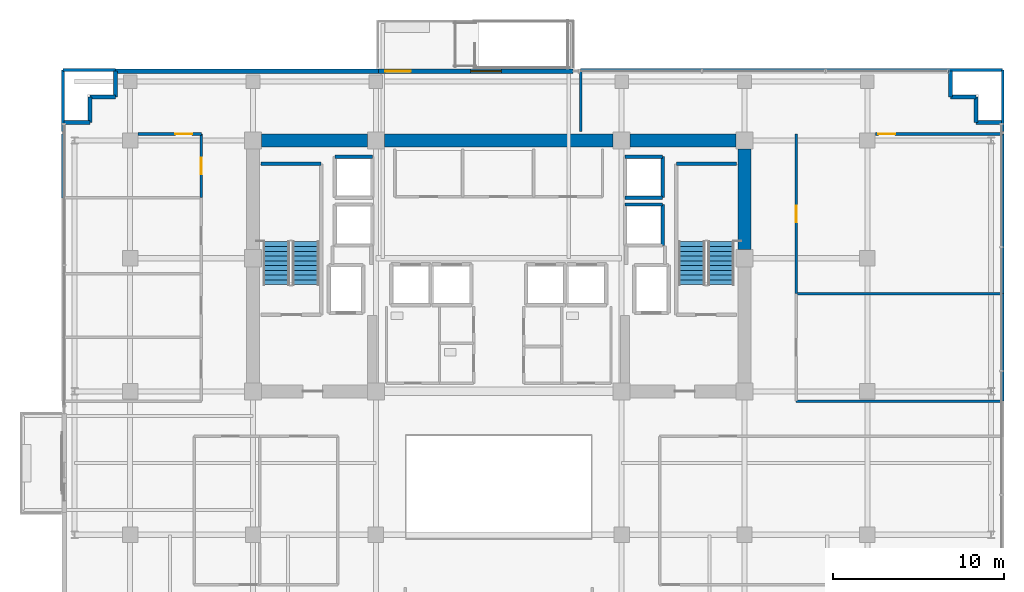
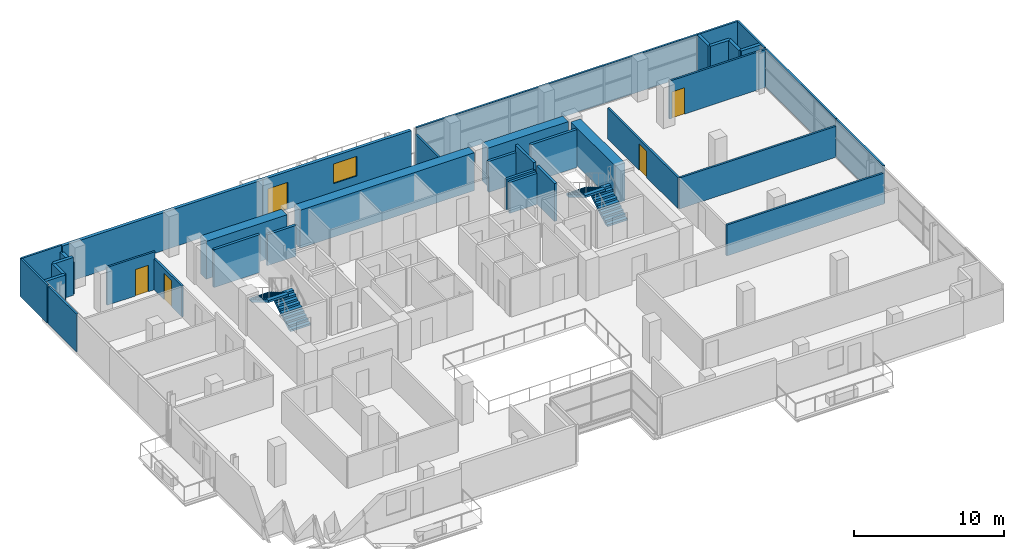
# One storey, part 18 of 23: 36 walls, 5 doors, 4 stair flights, 1 window, 6 openings, 2 elements without a shape of their own.
"""IFC4 building model written with IfcOpenShell, lengths in metres."""

from ifc_helpers import new_model, si_unit, direction, frame, frame_2d, origin, place, context, subcontext, project, spatial, polyline, rectangle, outline, extrude, source, transform, mapped, material, layer, layer_set, type_object, element, fill, aggregate, save


model = new_model("IFC4")

# Units and contexts
model_context = context("Model", 3, precision=1e-05, world=origin(), true_north=direction((0.0, 1.0)))
body_context = subcontext(model_context, "Body", "Model", "MODEL_VIEW")
ifc_project = project(units=[si_unit("LENGTHUNIT", "METRE"), si_unit("AREAUNIT", "SQUARE_METRE"), si_unit("VOLUMEUNIT", "CUBIC_METRE"), si_unit("PLANEANGLEUNIT", "RADIAN"), si_unit("MASSUNIT", "GRAM", prefix="KILO")], contexts=[model_context])

# Site, building, storey
site_placement = place(None, origin())
site = spatial("IfcSite", under=ifc_project, at=site_placement, CompositionType="ELEMENT")
building_placement = place(site_placement, origin())
building = spatial("IfcBuilding", under=site, at=building_placement, Name="Zarnakvel Exchange Tower", CompositionType="ELEMENT")
storey_placement = place(building_placement, frame((0.0, 0.0, 116.5)))
storey = spatial("IfcBuildingStorey", under=building, at=storey_placement, Name="L32", CompositionType="ELEMENT", Elevation=116.5)

# Walls
ifc_material_1 = material(Name="Concrete C60/75", Category="concrete")
ifc_layer_1 = layer(ifc_material_1, 0.75)
ifc_layer_set_1 = layer_set([ifc_layer_1], Name="Concrete C60/75")
wall_type_1 = type_object("IfcWallType", Name="CW-C3", PredefinedType="SHEAR", material=ifc_layer_set_1)
wall_1_placement = place(storey_placement, frame((-13.89990234375, 13.5, 0.0), z_axis=(0.0, 0.0, 1.0), x_axis=(1.0, 0.0, 0.0)))
element("IfcWall", 1, at=wall_1_placement, inside=storey, type_object=wall_type_1, Name="L32 Rear Core Shear Wall N1 (CW-C3)", PredefinedType="SHEAR", context=body_context, shape_type="SweptSolid", body=[
    extrude(rectangle(XDim=6.199951171875, YDim=0.75, at=frame_2d((3.10009765625, 0.0))), origin(), (0.0, 0.0, 1.0), 3.074951171875),
])
wall_2_placement = place(storey_placement, frame((-6.699951171875, 13.5, 0.0), z_axis=(0.0, 0.0, 1.0), x_axis=(1.0, 0.0, 0.0)))
element("IfcWall", 2, at=wall_2_placement, inside=storey, type_object=wall_type_1, Name="L32 Rear Core Shear Wall N2 (CW-C3)", PredefinedType="SHEAR", context=body_context, shape_type="SweptSolid", body=[
    extrude(rectangle(XDim=13.39990234375, YDim=0.75, at=frame_2d((6.699951171875, 0.0))), origin(), (0.0, 0.0, 1.0), 3.074951171875),
])
wall_3_placement = place(storey_placement, frame((7.699951171875, 13.5, 0.0), z_axis=(0.0, 0.0, 1.0), x_axis=(1.0, 0.0, 0.0)))
element("IfcWall", 3, at=wall_3_placement, inside=storey, type_object=wall_type_1, Name="L32 Rear Core Shear Wall N3 (CW-C3)", PredefinedType="SHEAR", context=body_context, shape_type="SweptSolid", body=[
    extrude(rectangle(XDim=6.199951171875, YDim=0.75, at=frame_2d((3.10009765625, 0.0))), origin(), (0.0, 0.0, 1.0), 3.074951171875),
])
wall_4_placement = place(storey_placement, frame((14.39990234375, 7.10009765625, 0.0), z_axis=(0.0, 0.0, 1.0), x_axis=(0.0, 1.0, 0.0)))
element("IfcWall", 4, at=wall_4_placement, inside=storey, type_object=wall_type_1, Name="L32 Rear Core Shear Wall E2 (CW-C3)", PredefinedType="SHEAR", context=body_context, shape_type="SweptSolid", body=[
    extrude(rectangle(XDim=5.89990234375, YDim=0.75, at=frame_2d((2.949951171875, 0.0))), origin(), (0.0, 0.0, 1.0), 3.074951171875),
])

# Wall, openings, door, window
ifc_material_2 = material(Name="Precast concrete C40/50", Category="concrete")
ifc_layer_2 = layer(ifc_material_2, 0.239990234375)
ifc_layer_set_2 = layer_set([ifc_layer_2], Name="Precast concrete C40/50")
wall_type_2 = type_object("IfcWallType", Name="EW-02", PredefinedType="SOLIDWALL", material=ifc_layer_set_2)
wall_5_placement = place(storey_placement, frame((-7.050048828125, 17.56005859375, 0.0), z_axis=(0.0, 0.0, 1.0), x_axis=(1.0, 0.0, 0.0)))
wall_5 = element("IfcWall", 5, at=wall_5_placement, inside=storey, type_object=wall_type_2, Name="L32 Exterior Precast Spandrel Wall EW-SPTER-L32 (EW-02)", PredefinedType="SOLIDWALL", context=body_context, shape_type="SweptSolid", body=[
    extrude(rectangle(XDim=11.400146484375, YDim=0.239990234375, at=frame_2d((5.7001953125, 0.0))), origin(), (0.0, 0.0, 1.0), 3.074951171875),
])
opening_1_placement = place(wall_5_placement, frame((0.39990234375, 0.0, 0.0)))
opening_1 = element("IfcOpeningElement", 6, at=opening_1_placement, cuts=wall_5, Name="Opening TD-L32-SP", PredefinedType="OPENING", context=body_context, shape_type="SweptSolid", body=[
    extrude(rectangle(XDim=1.5, YDim=2.199951171875, at=frame_2d((0.75, 1.10009765625))), frame((0.0, 0.1298828125, 0.0), z_axis=(0.0, -1.0, 0.0), x_axis=(1.0, 0.0, 0.0)), (0.0, 0.0, 1.0), 0.260009765625),
])
opening_2_placement = place(wall_5_placement, frame((5.39990234375, 0.0, 0.85009765625)))
opening_2 = element("IfcOpeningElement", 7, at=opening_2_placement, cuts=wall_5, Name="Opening WN-05", PredefinedType="OPENING", context=body_context, shape_type="SweptSolid", body=[
    extrude(rectangle(XDim=1.800048828125, YDim=1.60009765625, at=frame_2d((0.89990234375, 0.800048828125))), frame((0.0, 0.1298828125, 0.0), z_axis=(0.0, -1.0, 0.0), x_axis=(1.0, 0.0, 0.0)), (0.0, 0.0, 1.0), 0.260009765625),
])
ifc_material_3 = material(Name="Architectural Bronze Anodised Aluminium", Category="aluminium")
door_type_1 = type_object("IfcDoorType", Name="DT-10", OperationType="NOTDEFINED", PredefinedType="DOOR", material=ifc_material_3)
shared_shape_1 = source(origin(), body_context, "Body", "SweptSolid", [
    extrude(rectangle(XDim=1.5, YDim=2.199951171875, at=frame_2d((0.75, 1.10009765625))), frame((0.0, 0.02490234375, 0.0), z_axis=(0.0, -1.0, 0.0), x_axis=(1.0, 0.0, 0.0)), (0.0, 0.0, 1.0), 0.050048828125),
])
door_1_placement = place(opening_1_placement, origin())
door_1 = element("IfcDoor", 8, at=door_1_placement, inside=storey, type_object=door_type_1, Name="L32 Spiral Sky-Terrace Access Door TD-L32-SP", OperationType="DOUBLE_DOOR_SINGLE_SWING", OverallHeight=2.199951171875, OverallWidth=1.5, PredefinedType="DOOR", context=body_context, shape_type="MappedRepresentation", body=[
    mapped(shared_shape_1, transform((0.0, 0.0, 0.0), x_axis=(1.0, 0.0, 0.0), y_axis=(0.0, 1.0, 0.0), z_axis=(0.0, 0.0, 1.0), scale=1.0)),
])
fill(opening_1, door_1)
ifc_material_4 = material(Name="Double Low-E Laminated Vision Glass", Category="glass")
window_type = type_object("IfcWindowType", Name="WN-05", PartitioningType="SINGLE_PANEL", PredefinedType="WINDOW", material=ifc_material_4)
shared_shape_2 = source(origin(), body_context, "Body", "SweptSolid", [
    extrude(rectangle(XDim=1.800048828125, YDim=1.60009765625, at=frame_2d((0.89990234375, 0.800048828125))), frame((0.0, 0.030029296875, 0.0), z_axis=(0.0, -1.0, 0.0), x_axis=(1.0, 0.0, 0.0)), (0.0, 0.0, 1.0), 0.06005859375),
])
window_placement = place(opening_2_placement, origin())
window = element("IfcWindow", 9, at=window_placement, inside=storey, type_object=window_type, Name="L32 Spiral Sky-Terrace Lounge Window", OverallHeight=1.60009765625, OverallWidth=1.800048828125, PartitioningType="SINGLE_PANEL", PredefinedType="WINDOW", context=body_context, shape_type="MappedRepresentation", body=[
    mapped(shared_shape_2, transform((0.0, 0.0, 0.0), x_axis=(1.0, 0.0, 0.0), y_axis=(0.0, 1.0, 0.0), z_axis=(0.0, 0.0, 1.0), scale=1.0)),
])
fill(opening_2, window)

# Walls
for number, where, z_axis, x_axis, name in (
    (10, (-23.9599609375, 14.56005859375, 0.0), (0.0, 0.0, 1.0), (-1.0, 0.0, 0.0), "L32 Exterior Precast Spandrel Wall EWC-L32-03 (EW-02)"),
    (11, (-23.9599609375, 16.06005859375, 0.0), (0.0, 0.0, 1.0), (0.0, -1.0, 0.0), "L32 Exterior Precast Spandrel Wall EWC-L32-04 (EW-02)"),
    (12, (-22.4599609375, 16.06005859375, 0.0), (0.0, 0.0, 1.0), (-1.0, 0.0, 0.0), "L32 Exterior Precast Spandrel Wall EWC-L32-05 (EW-02)"),
):
    element("IfcWall", number, at=place(storey_placement, frame(where, z_axis=z_axis, x_axis=x_axis)), inside=storey, type_object=wall_type_2, Name=name, PredefinedType="SOLIDWALL", context=body_context, shape_type="SweptSolid", body=[
        extrude(rectangle(XDim=1.5, YDim=0.239990234375, at=frame_2d((0.75, 0.0))), origin(), (0.0, 0.0, 1.0), 3.074951171875),
    ])
wall_6_placement = place(storey_placement, frame((-22.4599609375, 17.56005859375, 0.0), z_axis=(0.0, 0.0, 1.0), x_axis=(0.0, -1.0, 0.0)))
element("IfcWall", 13, at=wall_6_placement, inside=storey, type_object=wall_type_2, Name="L32 Exterior Precast Spandrel Wall EWC-L32-06 (EW-02)", PredefinedType="SOLIDWALL", context=body_context, shape_type="SweptSolid", body=[
    extrude(rectangle(XDim=1.5, YDim=0.239990234375, at=frame_2d((0.75, 0.0))), origin(), (0.0, 0.0, 1.0), 2.56494140625),
])
wall_7_placement = place(storey_placement, frame((-7.050048828125, 17.56005859375, 0.0), z_axis=(0.0, 0.0, 1.0), x_axis=(-1.0, 0.0, 0.0)))
element("IfcWall", 14, at=wall_7_placement, inside=storey, type_object=wall_type_2, Name="L32 Exterior Precast Spandrel Wall EWC-L32-07 (EW-02)", PredefinedType="SOLIDWALL", context=body_context, shape_type="SweptSolid", body=[
    extrude(rectangle(XDim=15.409912109375, YDim=0.239990234375, at=frame_2d((7.705078125, 0.0))), origin(), (0.0, 0.0, 1.0), 3.074951171875),
])
for number, where, z_axis, x_axis, name in (
    (15, (26.4599609375, 16.06005859375, 0.0), (0.0, 0.0, 1.0), (0.0, 1.0, 0.0), "L32 Exterior Precast Spandrel Wall EWC-L32-09 (EW-02)"),
    (16, (27.9599609375, 16.06005859375, 0.0), (0.0, 0.0, 1.0), (-1.0, 0.0, 0.0), "L32 Exterior Precast Spandrel Wall EWC-L32-10 (EW-02)"),
    (17, (27.9599609375, 14.56005859375, 0.0), (0.0, 0.0, 1.0), (0.0, 1.0, 0.0), "L32 Exterior Precast Spandrel Wall EWC-L32-11 (EW-02)"),
    (18, (29.4599609375, 14.56005859375, 0.0), (0.0, 0.0, 1.0), (-1.0, 0.0, 0.0), "L32 Exterior Precast Spandrel Wall EWC-L32-12 (EW-02)"),
):
    element("IfcWall", number, at=place(storey_placement, frame(where, z_axis=z_axis, x_axis=x_axis)), inside=storey, type_object=wall_type_2, Name=name, PredefinedType="SOLIDWALL", context=body_context, shape_type="SweptSolid", body=[
        extrude(rectangle(XDim=1.5, YDim=0.239990234375, at=frame_2d((0.75, 0.0))), origin(), (0.0, 0.0, 1.0), 3.074951171875),
    ])

# Wall, opening, door
ifc_material_5 = material(Name="Fire-Rated Gypsum Stud Partition", Category="gypsum")
ifc_layer_3 = layer(ifc_material_5, 0.14990234375)
ifc_layer_set_3 = layer_set([ifc_layer_3], Name="Fire-Rated Gypsum Stud Partition")
wall_type_3 = type_object("IfcWallType", Name="PT-01", PredefinedType="PARTITIONING", material=ifc_layer_set_3)
wall_8_placement = place(storey_placement, frame((-21.1298828125, 13.8798828125, 0.0), z_axis=(0.0, 0.0, 1.0), x_axis=(1.0, 0.0, 0.0)))
wall_8 = element("IfcWall", 19, at=wall_8_placement, inside=storey, type_object=wall_type_3, Name="L32 Partition Wall PWALL-L32-061 (PT-01)", PredefinedType="PARTITIONING", context=body_context, shape_type="SweptSolid", body=[
    extrude(rectangle(XDim=3.699951171875, YDim=0.14990234375, at=frame_2d((1.85009765625, 0.0))), origin(), (0.0, 0.0, 1.0), 3.074951171875),
])
opening_3_placement = place(wall_8_placement, frame((2.18994140625, 0.0, 0.0)))
opening_3 = element("IfcOpeningElement", 20, at=opening_3_placement, cuts=wall_8, Name="Opening D-L32-25", PredefinedType="OPENING", context=body_context, shape_type="SweptSolid", body=[
    extrude(rectangle(XDim=0.97998046875, YDim=2.14990234375, at=frame_2d((0.489990234375, 1.074951171875))), frame((0.0, 0.0849609375, 0.0), z_axis=(0.0, -1.0, 0.0), x_axis=(1.0, 0.0, 0.0)), (0.0, 0.0, 1.0), 0.169921875),
])
ifc_material_6 = material(Name="Timber Acoustic Veneer", Category="wood")
door_type_2 = type_object("IfcDoorType", Name="DT-05", OperationType="NOTDEFINED", PredefinedType="DOOR", material=ifc_material_6)
shared_shape_3 = source(origin(), body_context, "Body", "SweptSolid", [
    extrude(rectangle(XDim=0.97998046875, YDim=2.14990234375, at=frame_2d((0.489990234375, 1.074951171875))), frame((0.0, 0.02490234375, 0.0), z_axis=(0.0, -1.0, 0.0), x_axis=(1.0, 0.0, 0.0)), (0.0, 0.0, 1.0), 0.050048828125),
])
door_2_placement = place(opening_3_placement, origin())
door_2 = element("IfcDoor", 21, at=door_2_placement, inside=storey, type_object=door_type_2, Name="L32 Fintech Workspace Door D-L32-25", OperationType="SINGLE_SWING_LEFT", OverallHeight=2.14990234375, OverallWidth=0.97998046875, PredefinedType="DOOR", context=body_context, shape_type="MappedRepresentation", body=[
    mapped(shared_shape_3, transform((0.0, 0.0, 0.0), x_axis=(1.0, 0.0, 0.0), y_axis=(0.0, 1.0, 0.0), z_axis=(0.0, 0.0, 1.0), scale=1.0)),
])
fill(opening_3, door_2)

# Wall
wall_9_placement = place(storey_placement, frame((-25.530029296875, 10.146240234375, 0.0), z_axis=(0.0, 0.0, 1.0), x_axis=(0.0, 1.0, 0.0)))
element("IfcWall", 22, at=wall_9_placement, inside=storey, type_object=wall_type_3, Name="L32 Partition Wall PWALL-L32-062 (PT-01)", PredefinedType="PARTITIONING", context=body_context, shape_type="SweptSolid", body=[
    extrude(rectangle(XDim=3.733642578125, YDim=0.14990234375, at=frame_2d((1.86669921875, 0.0))), origin(), (0.0, 0.0, 1.0), 3.074951171875),
])

# Wall, opening, door
wall_10_placement = place(storey_placement, frame((-17.429931640625, 13.8798828125, 0.0), z_axis=(0.0, 0.0, 1.0), x_axis=(0.0, -1.0, 0.0)))
wall_10 = element("IfcWall", 23, at=wall_10_placement, inside=storey, type_object=wall_type_3, Name="L32 Partition Wall PWALL-L32-063 (PT-01)", PredefinedType="PARTITIONING", context=body_context, shape_type="SweptSolid", body=[
    extrude(rectangle(XDim=3.733642578125, YDim=0.14990234375, at=frame_2d((1.86669921875, 0.0))), origin(), (0.0, 0.0, 1.0), 2.514892578125),
])
opening_4_placement = place(wall_10_placement, frame((1.376953125, 0.0, 0.0)))
opening_4 = element("IfcOpeningElement", 24, at=opening_4_placement, cuts=wall_10, Name="Opening D-L32-22", PredefinedType="OPENING", context=body_context, shape_type="SweptSolid", body=[
    extrude(rectangle(XDim=0.97998046875, YDim=2.14990234375, at=frame_2d((0.489990234375, 1.074951171875))), frame((0.0, 0.0849609375, 0.0), z_axis=(0.0, -1.0, 0.0), x_axis=(1.0, 0.0, 0.0)), (0.0, 0.0, 1.0), 0.169921875),
])
door_3_placement = place(opening_4_placement, origin())
door_3 = element("IfcDoor", 25, at=door_3_placement, inside=storey, type_object=door_type_2, Name="L32 Breakout Lounge Door D-L32-22", OperationType="SINGLE_SWING_RIGHT", OverallHeight=2.14990234375, OverallWidth=0.97998046875, PredefinedType="DOOR", context=body_context, shape_type="MappedRepresentation", body=[
    mapped(shared_shape_3, transform((0.0, 0.0, 0.0), x_axis=(1.0, 0.0, 0.0), y_axis=(0.0, 1.0, 0.0), z_axis=(0.0, 0.0, 1.0), scale=1.0)),
])
fill(opening_4, door_3)

# Walls
for number, where, z_axis, x_axis, name in (
    (26, (29.530029296875, -1.77001953125, 0.0), (0.0, 0.0, 1.0), (-1.0, 0.0, 0.0), "L32 Partition Wall PWALL-L32-064 (PT-01)"),
    (27, (17.429931640625, 4.52197265625, 0.0), (0.0, 0.0, 1.0), (1.0, 0.0, 0.0), "L32 Partition Wall PWALL-L32-065 (PT-01)"),
):
    element("IfcWall", number, at=place(storey_placement, frame(where, z_axis=z_axis, x_axis=x_axis)), inside=storey, type_object=wall_type_3, Name=name, PredefinedType="PARTITIONING", context=body_context, shape_type="SweptSolid", body=[
        extrude(rectangle(XDim=12.10009765625, YDim=0.14990234375, at=frame_2d((6.050048828125, 0.0))), origin(), (0.0, 0.0, 1.0), 2.514892578125),
    ])
wall_11_placement = place(storey_placement, frame((29.530029296875, 4.52197265625, 0.0), z_axis=(0.0, 0.0, 1.0), x_axis=(0.0, -1.0, 0.0)))
element("IfcWall", 28, at=wall_11_placement, inside=storey, type_object=wall_type_3, Name="L32 Partition Wall PWALL-L32-067 (PT-01)", PredefinedType="PARTITIONING", context=body_context, shape_type="SweptSolid", body=[
    extrude(rectangle(XDim=6.2919921875, YDim=0.14990234375, at=frame_2d((3.14599609375, 0.0))), origin(), (0.0, 0.0, 1.0), 3.074951171875),
])

# Wall, opening, door
wall_12_placement = place(storey_placement, frame((22.070068359375, 13.8798828125, 0.0), z_axis=(0.0, 0.0, 1.0), x_axis=(1.0, 0.0, 0.0)))
wall_12 = element("IfcWall", 29, at=wall_12_placement, inside=storey, type_object=wall_type_3, Name="L32 Partition Wall PWALL-L32-068 (PT-01)", PredefinedType="PARTITIONING", context=body_context, shape_type="SweptSolid", body=[
    extrude(rectangle(XDim=7.4599609375, YDim=0.14990234375, at=frame_2d((3.72998046875, 0.0))), origin(), (0.0, 0.0, 1.0), 3.074951171875),
])
opening_5_placement = place(wall_12_placement, frame((0.179931640625, 0.0, 0.0)))
opening_5 = element("IfcOpeningElement", 30, at=opening_5_placement, cuts=wall_12, Name="Opening D-L32-26", PredefinedType="OPENING", context=body_context, shape_type="SweptSolid", body=[
    extrude(rectangle(XDim=0.97998046875, YDim=2.14990234375, at=frame_2d((0.489990234375, 1.074951171875))), frame((0.0, 0.0849609375, 0.0), z_axis=(0.0, -1.0, 0.0), x_axis=(1.0, 0.0, 0.0)), (0.0, 0.0, 1.0), 0.169921875),
])
door_4_placement = place(opening_5_placement, origin())
door_4 = element("IfcDoor", 31, at=door_4_placement, inside=storey, type_object=door_type_2, Name="L32 Breakout Lounge Door D-L32-26", OperationType="SINGLE_SWING_RIGHT", OverallHeight=2.14990234375, OverallWidth=0.97998046875, PredefinedType="DOOR", context=body_context, shape_type="MappedRepresentation", body=[
    mapped(shared_shape_3, transform((0.0, 0.0, 0.0), x_axis=(1.0, 0.0, 0.0), y_axis=(0.0, 1.0, 0.0), z_axis=(0.0, 0.0, 1.0), scale=1.0)),
])
fill(opening_5, door_4)

wall_13_placement = place(storey_placement, frame((17.429931640625, 4.52197265625, 0.0), z_axis=(0.0, 0.0, 1.0), x_axis=(0.0, 1.0, 0.0)))
wall_13 = element("IfcWall", 32, at=wall_13_placement, inside=storey, type_object=wall_type_3, Name="L32 Partition Wall PWALL-L32-069 (PT-01)", PredefinedType="PARTITIONING", context=body_context, shape_type="SweptSolid", body=[
    extrude(rectangle(XDim=9.35791015625, YDim=0.14990234375, at=frame_2d((4.678955078125, 0.0))), origin(), (0.0, 0.0, 1.0), 2.514892578125),
])
opening_6_placement = place(wall_13_placement, frame((4.18896484375, 0.0, 0.0)))
opening_6 = element("IfcOpeningElement", 33, at=opening_6_placement, cuts=wall_13, Name="Opening D-L32-24", PredefinedType="OPENING", context=body_context, shape_type="SweptSolid", body=[
    extrude(rectangle(XDim=0.97998046875, YDim=2.14990234375, at=frame_2d((0.489990234375, 1.074951171875))), frame((0.0, 0.0849609375, 0.0), z_axis=(0.0, -1.0, 0.0), x_axis=(1.0, 0.0, 0.0)), (0.0, 0.0, 1.0), 0.169921875),
])
door_5_placement = place(opening_6_placement, origin())
door_5 = element("IfcDoor", 34, at=door_5_placement, inside=storey, type_object=door_type_2, Name="L32 Fintech Workspace Door D-L32-24", OperationType="SINGLE_SWING_RIGHT", OverallHeight=2.14990234375, OverallWidth=0.97998046875, PredefinedType="DOOR", context=body_context, shape_type="MappedRepresentation", body=[
    mapped(shared_shape_3, transform((0.0, 0.0, 0.0), x_axis=(1.0, 0.0, 0.0), y_axis=(0.0, 1.0, 0.0), z_axis=(0.0, 0.0, 1.0), scale=1.0)),
])
fill(opening_6, door_5)

# Walls
wall_14_placement = place(storey_placement, frame((29.530029296875, 13.8798828125, 0.0), z_axis=(0.0, 0.0, 1.0), x_axis=(0.0, -1.0, 0.0)))
element("IfcWall", 35, at=wall_14_placement, inside=storey, type_object=wall_type_3, Name="L32 Partition Wall PWALL-L32-070 (PT-01)", PredefinedType="PARTITIONING", context=body_context, shape_type="SweptSolid", body=[
    extrude(rectangle(XDim=9.35791015625, YDim=0.14990234375, at=frame_2d((4.678955078125, 0.0))), origin(), (0.0, 0.0, 1.0), 3.074951171875),
])
wall_15_placement = place(storey_placement, frame((-25.530029296875, 17.6298828125, 0.0), z_axis=(0.0, 0.0, 1.0), x_axis=(1.0, 0.0, 0.0)))
element("IfcWall", 36, at=wall_15_placement, inside=storey, type_object=wall_type_3, Name="L32 Partition Wall PWALL-L32-071 (PT-01)", PredefinedType="PARTITIONING", context=body_context, shape_type="SweptSolid", body=[
    extrude(rectangle(XDim=3.070068359375, YDim=0.14990234375, at=frame_2d((1.53515625, 0.0))), origin(), (0.0, 0.0, 1.0), 3.074951171875),
])
wall_16_placement = place(storey_placement, frame((-25.530029296875, 14.030029296875, 0.0), z_axis=(0.0, 0.0, 1.0), x_axis=(0.0, 1.0, 0.0)))
element("IfcWall", 37, at=wall_16_placement, inside=storey, type_object=wall_type_3, Name="L32 Partition Wall PWALL-L32-072 (PT-01)", PredefinedType="PARTITIONING", context=body_context, shape_type="SweptSolid", body=[
    extrude(rectangle(XDim=3.599853515625, YDim=0.14990234375, at=frame_2d((1.7998046875, 0.0))), origin(), (0.0, 0.0, 1.0), 3.074951171875),
])
wall_17_placement = place(storey_placement, frame((4.800048828125, 17.6298828125, 0.0), z_axis=(0.0, 0.0, 1.0), x_axis=(0.0, -1.0, 0.0)))
element("IfcWall", 38, at=wall_17_placement, inside=storey, type_object=wall_type_3, Name="L32 Partition Wall PWALL-L32-073 (PT-01)", PredefinedType="PARTITIONING", context=body_context, shape_type="SweptSolid", body=[
    extrude(rectangle(XDim=3.599853515625, YDim=0.14990234375, at=frame_2d((1.7998046875, 0.0))), origin(), (0.0, 0.0, 1.0), 2.56494140625),
])
wall_18_placement = place(storey_placement, frame((4.800048828125, 17.6298828125, 0.0), z_axis=(0.0, 0.0, 1.0), x_axis=(1.0, 0.0, 0.0)))
element("IfcWall", 39, at=wall_18_placement, inside=storey, type_object=wall_type_3, Name="L32 Partition Wall PWALL-L32-074 (PT-01)", PredefinedType="PARTITIONING", context=body_context, shape_type="SweptSolid", body=[
    extrude(rectangle(XDim=24.72998046875, YDim=0.14990234375, at=frame_2d((12.364990234375, 0.0))), origin(), (0.0, 0.0, 1.0), 3.074951171875),
])
wall_19_placement = place(storey_placement, frame((29.530029296875, 17.6298828125, 0.0), z_axis=(0.0, 0.0, 1.0), x_axis=(0.0, -1.0, 0.0)))
element("IfcWall", 40, at=wall_19_placement, inside=storey, type_object=wall_type_3, Name="L32 Partition Wall PWALL-L32-075 (PT-01)", PredefinedType="PARTITIONING", context=body_context, shape_type="SweptSolid", body=[
    extrude(rectangle(XDim=3.599853515625, YDim=0.14990234375, at=frame_2d((1.7998046875, 0.0))), origin(), (0.0, 0.0, 1.0), 3.074951171875),
])
ifc_material_7 = material(Name="Concrete C40/50", Category="concrete")
ifc_layer_4 = layer(ifc_material_7, 0.199951171875)
ifc_layer_set_4 = layer_set([ifc_layer_4], Name="Concrete C40/50")
wall_type_4 = type_object("IfcWallType", Name="SW-01", PredefinedType="SOLIDWALL", material=ifc_layer_set_4)
for number, where, z_axis, x_axis, name in (
    (41, (-9.60009765625, 12.550048828125, 0.0), (0.0, 0.0, 1.0), (1.0, 0.0, 0.0), "L32 PL-10 Hoistway Wall North"),
    (42, (7.39990234375, 9.75, 0.0), (0.0, 0.0, 1.0), (1.0, 0.0, 0.0), "L32 PL-11 Hoistway Wall North"),
):
    element("IfcWall", number, at=place(storey_placement, frame(where, z_axis=z_axis, x_axis=x_axis)), inside=storey, type_object=wall_type_4, Name=name, PredefinedType="SOLIDWALL", context=body_context, shape_type="SweptSolid", body=[
        extrude(rectangle(XDim=2.2001953125, YDim=0.199951171875, at=frame_2d((1.10009765625, 0.0))), origin(), (0.0, 0.0, 1.0), 2.514892578125),
    ])
wall_20_placement = place(storey_placement, frame((9.60009765625, 9.75, 0.0), z_axis=(0.0, 0.0, 1.0), x_axis=(0.0, -1.0, 0.0)))
element("IfcWall", 43, at=wall_20_placement, inside=storey, type_object=wall_type_4, Name="L32 PL-11 Hoistway Wall East", PredefinedType="SOLIDWALL", context=body_context, shape_type="SweptSolid", body=[
    extrude(rectangle(XDim=2.39990234375, YDim=0.199951171875, at=frame_2d((1.199951171875, 0.0))), origin(), (0.0, 0.0, 1.0), 3.074951171875),
])
for number, where, z_axis, x_axis, name in (
    (44, (9.60009765625, 10.14990234375, 0.0), (0.0, 0.0, 1.0), (-1.0, 0.0, 0.0), "L32 PL-12 Hoistway Wall South"),
    (45, (7.39990234375, 12.550048828125, 0.0), (0.0, 0.0, 1.0), (1.0, 0.0, 0.0), "L32 PL-12 Hoistway Wall North"),
):
    element("IfcWall", number, at=place(storey_placement, frame(where, z_axis=z_axis, x_axis=x_axis)), inside=storey, type_object=wall_type_4, Name=name, PredefinedType="SOLIDWALL", context=body_context, shape_type="SweptSolid", body=[
        extrude(rectangle(XDim=2.2001953125, YDim=0.199951171875, at=frame_2d((1.10009765625, 0.0))), origin(), (0.0, 0.0, 1.0), 2.514892578125),
    ])
wall_21_placement = place(storey_placement, frame((9.60009765625, 12.550048828125, 0.0), z_axis=(0.0, 0.0, 1.0), x_axis=(0.0, -1.0, 0.0)))
element("IfcWall", 46, at=wall_21_placement, inside=storey, type_object=wall_type_4, Name="L32 PL-12 Hoistway Wall East", PredefinedType="SOLIDWALL", context=body_context, shape_type="SweptSolid", body=[
    extrude(rectangle(XDim=2.400146484375, YDim=0.199951171875, at=frame_2d((1.2001953125, 0.0))), origin(), (0.0, 0.0, 1.0), 3.074951171875),
])
ifc_layer_5 = layer(ifc_material_7, 0.199951171875)
ifc_layer_set_5 = layer_set([ifc_layer_5], Name="Concrete C40/50")
wall_type_5 = type_object("IfcWallType", Name="SW-02", PredefinedType="SOLIDWALL", material=ifc_layer_set_5)
for number, where, z_axis, x_axis, name in (
    (47, (-13.929931640625, 12.1298828125, 0.0), (0.0, 0.0, 1.0), (1.0, 0.0, 0.0), "L32 Stairwell Core Wall PWALL-L32-002 (SW-02)"),
    (48, (10.409912109375, 12.1298828125, 0.0), (0.0, 0.0, 1.0), (1.0, 0.0, 0.0), "L32 Stairwell Core Wall PWALL-L32-005 (SW-02)"),
):
    element("IfcWall", number, at=place(storey_placement, frame(where, z_axis=z_axis, x_axis=x_axis)), inside=storey, type_object=wall_type_5, Name=name, PredefinedType="SOLIDWALL", context=body_context, shape_type="SweptSolid", body=[
        extrude(rectangle(XDim=3.52001953125, YDim=0.199951171875, at=frame_2d((1.760009765625, 0.0))), origin(), (0.0, 0.0, 1.0), 3.074951171875),
    ])

# Stair, stair flights
stair_type = type_object("IfcStairType", Name="STR-01", PredefinedType="HALF_TURN_STAIR", material=ifc_material_7)
stair_1_placement = place(storey_placement, origin())
stair_1 = element("IfcStair", 49, at=stair_1_placement, inside=storey, type_object=stair_type, Name="L32 Protected Core Exit Stair ST-01", PredefinedType="HALF_TURN_STAIR")
stair_flight_type = type_object("IfcStairFlightType", Name="FLT-01", PredefinedType="STRAIGHT", material=ifc_material_7)
stair_flight_1_placement = place(storey_placement, frame((-11.31494140625, 5.050048828125, 0.0), z_axis=(0.0, 0.0, 1.0), x_axis=(0.0, 1.0, 0.0)))
stair_flight_1 = element("IfcStairFlight", 50, at=stair_flight_1_placement, type_object=stair_flight_type, Name="ST-01 flight 1", NumberOfRisers=10, NumberOfTreads=9, PredefinedType="STRAIGHT", RiserHeight=0.165, TreadLength=0.28, context=body_context, shape_type="SweptSolid", body=[
    extrude(outline(polyline([(0.0, 0.0), (0.0, 0.1650390625), (0.280029296875, 0.1650390625), (0.280029296875, 0.330078125), (0.56005859375, 0.330078125), (0.56005859375, 0.4951171875), (0.840087890625, 0.4951171875), (0.840087890625, 0.659912109375), (1.1201171875, 0.659912109375), (1.1201171875, 0.824951171875), (1.39990234375, 0.824951171875), (1.39990234375, 0.989990234375), (1.679931640625, 0.989990234375), (1.679931640625, 1.155029296875), (1.9599609375, 1.155029296875), (1.9599609375, 1.320068359375), (2.239990234375, 1.320068359375), (2.239990234375, 1.485107421875), (2.52001953125, 1.485107421875), (2.52001953125, 1.64990234375), (2.52001953125, 1.31103515625), (0.295166015625, 0.0), (0.0, 0.0)])), frame((0.0, 0.77490234375, 0.0), z_axis=(0.0, -1.0, 0.0), x_axis=(1.0, 0.0, 0.0)), (0.0, 0.0, 1.0), 1.550048828125),
])
stair_flight_2_placement = place(storey_placement, frame((-13.02490234375, 7.570068359375, 1.64990234375), z_axis=(0.0, 0.0, 1.0), x_axis=(0.0, -1.0, 0.0)))
stair_flight_2 = element("IfcStairFlight", 51, at=stair_flight_2_placement, type_object=stair_flight_type, Name="ST-01 flight 2", NumberOfRisers=10, NumberOfTreads=9, PredefinedType="STRAIGHT", RiserHeight=0.165, TreadLength=0.28, context=body_context, shape_type="SweptSolid", body=[
    extrude(outline(polyline([(0.0, 0.0), (0.0, 0.1650390625), (0.280029296875, 0.1650390625), (0.280029296875, 0.330078125), (0.56005859375, 0.330078125), (0.56005859375, 0.4951171875), (0.840087890625, 0.4951171875), (0.840087890625, 0.659912109375), (1.1201171875, 0.659912109375), (1.1201171875, 0.824951171875), (1.39990234375, 0.824951171875), (1.39990234375, 0.989990234375), (1.679931640625, 0.989990234375), (1.679931640625, 1.155029296875), (1.9599609375, 1.155029296875), (1.9599609375, 1.320068359375), (2.239990234375, 1.320068359375), (2.239990234375, 1.485107421875), (2.52001953125, 1.485107421875), (2.52001953125, 1.64990234375), (2.52001953125, 1.31103515625), (0.295166015625, 0.0), (0.0, 0.0)])), frame((0.0, 0.77490234375, 0.0), z_axis=(0.0, -1.0, 0.0), x_axis=(1.0, 0.0, 0.0)), (0.0, 0.0, 1.0), 1.550048828125),
])
aggregate(stair_1, [stair_flight_1, stair_flight_2])

stair_2_placement = place(storey_placement, origin())
stair_2 = element("IfcStair", 52, at=stair_2_placement, inside=storey, type_object=stair_type, Name="L32 Protected Core Exit Stair ST-02", PredefinedType="HALF_TURN_STAIR")
stair_flight_3_placement = place(storey_placement, frame((13.02490234375, 5.050048828125, 0.0), z_axis=(0.0, 0.0, 1.0), x_axis=(0.0, 1.0, 0.0)))
stair_flight_3 = element("IfcStairFlight", 53, at=stair_flight_3_placement, type_object=stair_flight_type, Name="ST-02 flight 1", NumberOfRisers=10, NumberOfTreads=9, PredefinedType="STRAIGHT", RiserHeight=0.165, TreadLength=0.28, context=body_context, shape_type="SweptSolid", body=[
    extrude(outline(polyline([(0.0, 0.0), (0.0, 0.1650390625), (0.280029296875, 0.1650390625), (0.280029296875, 0.330078125), (0.56005859375, 0.330078125), (0.56005859375, 0.4951171875), (0.840087890625, 0.4951171875), (0.840087890625, 0.659912109375), (1.1201171875, 0.659912109375), (1.1201171875, 0.824951171875), (1.39990234375, 0.824951171875), (1.39990234375, 0.989990234375), (1.679931640625, 0.989990234375), (1.679931640625, 1.155029296875), (1.9599609375, 1.155029296875), (1.9599609375, 1.320068359375), (2.239990234375, 1.320068359375), (2.239990234375, 1.485107421875), (2.52001953125, 1.485107421875), (2.52001953125, 1.64990234375), (2.52001953125, 1.31103515625), (0.295166015625, 0.0), (0.0, 0.0)])), frame((0.0, 0.77490234375, 0.0), z_axis=(0.0, -1.0, 0.0), x_axis=(1.0, 0.0, 0.0)), (0.0, 0.0, 1.0), 1.550048828125),
])
stair_flight_4_placement = place(storey_placement, frame((11.31494140625, 7.570068359375, 1.64990234375), z_axis=(0.0, 0.0, 1.0), x_axis=(0.0, -1.0, 0.0)))
stair_flight_4 = element("IfcStairFlight", 54, at=stair_flight_4_placement, type_object=stair_flight_type, Name="ST-02 flight 2", NumberOfRisers=10, NumberOfTreads=9, PredefinedType="STRAIGHT", RiserHeight=0.165, TreadLength=0.28, context=body_context, shape_type="SweptSolid", body=[
    extrude(outline(polyline([(0.0, 0.0), (0.0, 0.1650390625), (0.280029296875, 0.1650390625), (0.280029296875, 0.330078125), (0.56005859375, 0.330078125), (0.56005859375, 0.4951171875), (0.840087890625, 0.4951171875), (0.840087890625, 0.659912109375), (1.1201171875, 0.659912109375), (1.1201171875, 0.824951171875), (1.39990234375, 0.824951171875), (1.39990234375, 0.989990234375), (1.679931640625, 0.989990234375), (1.679931640625, 1.155029296875), (1.9599609375, 1.155029296875), (1.9599609375, 1.320068359375), (2.239990234375, 1.320068359375), (2.239990234375, 1.485107421875), (2.52001953125, 1.485107421875), (2.52001953125, 1.64990234375), (2.52001953125, 1.31103515625), (0.295166015625, 0.0), (0.0, 0.0)])), frame((0.0, 0.77490234375, 0.0), z_axis=(0.0, -1.0, 0.0), x_axis=(1.0, 0.0, 0.0)), (0.0, 0.0, 1.0), 1.550048828125),
])
aggregate(stair_2, [stair_flight_3, stair_flight_4])

save(model, "model.ifc")
